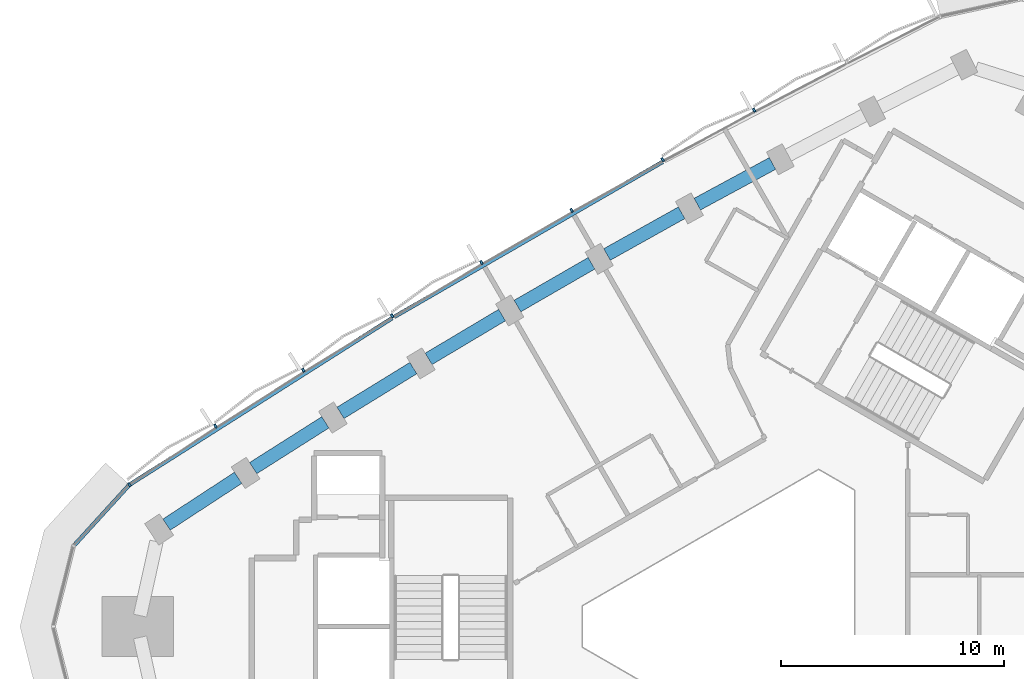
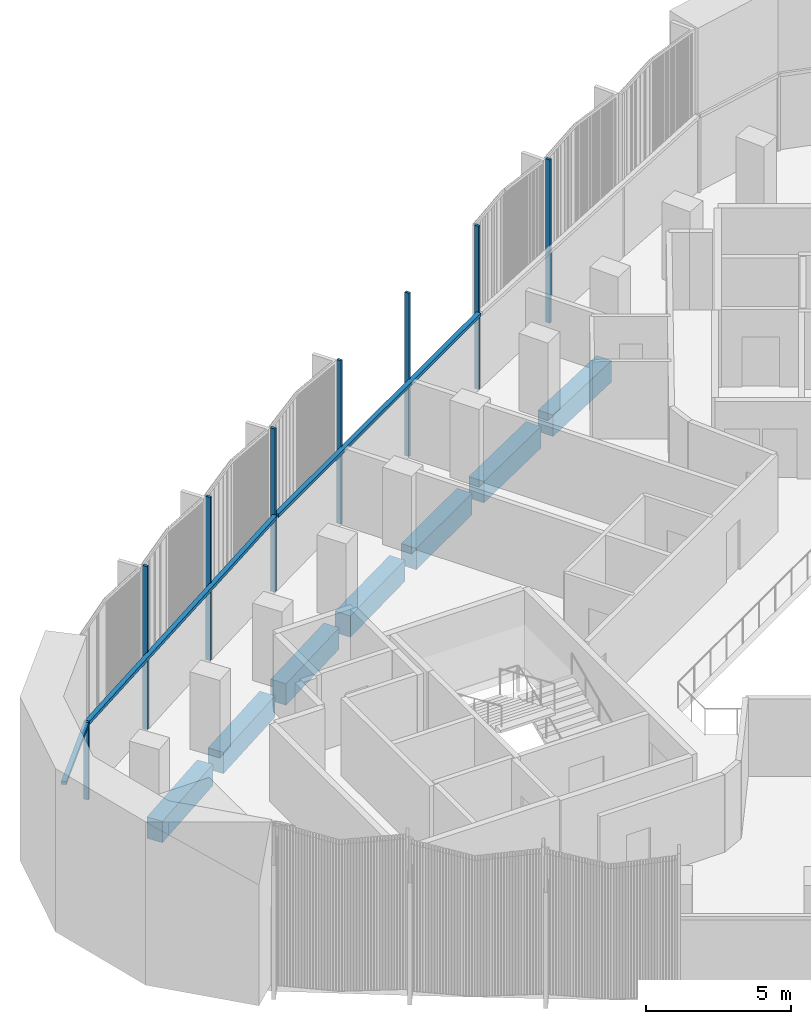
# One storey, part 4 of 13: 11 members, 7 beams, 1 element without a shape of its own.
"""IFC4 building model written with IfcOpenShell, lengths in metres."""

from ifc_helpers import new_model, si_unit, direction, frame, origin, origin_2d, place, context, subcontext, project, spatial, rectangle, extrude, material, material_profile, profile_set, type_object, element, aggregate, save


model = new_model("IFC4")

# Units and contexts
model_context = context("Model", 3, precision=1e-05, world=origin(), true_north=direction((0.0, 1.0)))
body_context = subcontext(model_context, "Body", "Model", "MODEL_VIEW")
ifc_project = project(units=[si_unit("LENGTHUNIT", "METRE"), si_unit("AREAUNIT", "SQUARE_METRE"), si_unit("VOLUMEUNIT", "CUBIC_METRE"), si_unit("PLANEANGLEUNIT", "RADIAN"), si_unit("MASSUNIT", "GRAM", prefix="KILO")], contexts=[model_context])

# Site, building, storey
site_placement = place(None, origin())
site = spatial("IfcSite", under=ifc_project, at=site_placement, CompositionType="ELEMENT")
building_placement = place(site_placement, origin())
building = spatial("IfcBuilding", under=site, at=building_placement, Name="Tamra Quay Hotel Tower", CompositionType="ELEMENT")
storey_placement = place(building_placement, frame((0.0, 0.0, 186.39990234375)))
storey = spatial("IfcBuildingStorey", under=building, at=storey_placement, Name="L46", CompositionType="ELEMENT", Elevation=186.39990234375)

# Curtain wall, members
ifc_material_1 = material(Name="Aluminium 6063 anodised dark grey", Category="aluminium")
curtain_wall_type = type_object("IfcCurtainWallType", Name="CW2 CURTAIN WALL", PredefinedType="NOTDEFINED", material=ifc_material_1)
curtain_wall_placement = place(storey_placement, origin())
curtain_wall = element("IfcCurtainWall", 1, at=curtain_wall_placement, inside=storey, type_object=curtain_wall_type, Name="CW2 north-west face L46", PredefinedType="NOTDEFINED")
ifc_material_profile_1 = material_profile(ifc_material_1, rectangle(XDim=0.179931640625, YDim=0.10009765625, at=origin_2d()), Name="MULLION 100X180")
ifc_profile_set_1 = profile_set([ifc_material_profile_1], Name="Aluminium 6063 anodised dark grey")
member_type_1 = type_object("IfcMemberType", Name="MULLION CW2 Z4", PredefinedType="MULLION", material=ifc_profile_set_1)
member_1_placement = place(storey_placement, frame((0.10400390625, 23.175537109375, 0.0), z_axis=(0.0, 0.0, 1.0), x_axis=(-0.469667944168, 0.882843147009, 0.0)))
member_1 = element("IfcMember", 2, at=member_1_placement, type_object=member_type_1, Name="CW2 mullion L46.NW.3", PredefinedType="MULLION", context=body_context, shape_type="SweptSolid", body=[
    extrude(rectangle(XDim=0.179931640625, YDim=0.10009765625, at=origin_2d()), origin(), (0.0, 0.0, 1.0), 6.85009765625),
])
member_2_placement = place(storey_placement, frame((-4.004638671875, 20.953369140625, 0.0), z_axis=(0.0, 0.0, 1.0), x_axis=(-0.481860510023, 0.876247938017, 0.0)))
member_2 = element("IfcMember", 3, at=member_2_placement, type_object=member_type_1, Name="CW2 mullion L46.NW.4", PredefinedType="MULLION", context=body_context, shape_type="SweptSolid", body=[
    extrude(rectangle(XDim=0.179931640625, YDim=0.10009765625, at=origin_2d()), origin(), (0.0, 0.0, 1.0), 6.85009765625),
])
member_3_placement = place(storey_placement, frame((-8.083251953125, 18.67333984375, 0.0), z_axis=(0.0, 0.0, 1.0), x_axis=(-0.49397478702, 0.869476227271, 0.0)))
member_3 = element("IfcMember", 4, at=member_3_placement, type_object=member_type_1, Name="CW2 mullion L46.NW.5", PredefinedType="MULLION", context=body_context, shape_type="SweptSolid", body=[
    extrude(rectangle(XDim=0.179931640625, YDim=0.10009765625, at=origin_2d()), origin(), (0.0, 0.0, 1.0), 6.85009765625),
])
member_4_placement = place(storey_placement, frame((-12.1298828125, 16.3369140625, 0.0), z_axis=(0.0, 0.0, 1.0), x_axis=(-0.506001107293, 0.862532828023, 0.0)))
member_4 = element("IfcMember", 5, at=member_4_placement, type_object=member_type_1, Name="CW2 mullion L46.NW.6", PredefinedType="MULLION", context=body_context, shape_type="SweptSolid", body=[
    extrude(rectangle(XDim=0.179931640625, YDim=0.10009765625, at=origin_2d()), origin(), (0.0, 0.0, 1.0), 6.85009765625),
])
member_5_placement = place(storey_placement, frame((-16.143798828125, 13.94482421875, 0.0), z_axis=(0.0, 0.0, 1.0), x_axis=(-0.517922719325, 0.85542741177, 0.0)))
member_5 = element("IfcMember", 6, at=member_5_placement, type_object=member_type_1, Name="CW2 mullion L46.NW.7", PredefinedType="MULLION", context=body_context, shape_type="SweptSolid", body=[
    extrude(rectangle(XDim=0.179931640625, YDim=0.10009765625, at=origin_2d()), origin(), (0.0, 0.0, 1.0), 6.85009765625),
])
member_6_placement = place(storey_placement, frame((-20.12255859375, 11.497802734375, 0.0), z_axis=(0.0, 0.0, 1.0), x_axis=(-0.529730620783, 0.848165944497, 0.0)))
member_6 = element("IfcMember", 7, at=member_6_placement, type_object=member_type_1, Name="CW2 mullion L46.NW.8", PredefinedType="MULLION", context=body_context, shape_type="SweptSolid", body=[
    extrude(rectangle(XDim=0.179931640625, YDim=0.10009765625, at=origin_2d()), origin(), (0.0, 0.0, 1.0), 6.85009765625),
])
member_7_placement = place(storey_placement, frame((-24.068603515625, 8.9951171875, 0.0), z_axis=(0.0, 0.0, 1.0), x_axis=(-0.541421307524, 0.840751430423, 0.0)))
member_7 = element("IfcMember", 8, at=member_7_placement, type_object=member_type_1, Name="CW2 mullion L46.NW.9", PredefinedType="MULLION", context=body_context, shape_type="SweptSolid", body=[
    extrude(rectangle(XDim=0.179931640625, YDim=0.10009765625, at=origin_2d()), origin(), (0.0, 0.0, 1.0), 6.85009765625),
])
member_8_placement = place(storey_placement, frame((-27.928955078125, 6.36376953125, 0.0), z_axis=(0.0, 0.0, 1.0), x_axis=(-0.648381091282, 0.76131593998, 0.0)))
member_8 = element("IfcMember", 9, at=member_8_placement, type_object=member_type_1, Name="CW2 mullion L46.NW.10", PredefinedType="MULLION", context=body_context, shape_type="SweptSolid", body=[
    extrude(rectangle(XDim=0.179931640625, YDim=0.10009765625, at=origin_2d()), origin(), (0.0, 0.0, 1.0), 3.25),
])

# Beams
ifc_material_2 = material(Name="Concrete M60", Category="concrete")
ifc_material_profile_2 = material_profile(ifc_material_2, rectangle(XDim=0.60009765625, YDim=0.89990234375, at=origin_2d()), Name="SPANDREL BEAM RC 600x900")
ifc_profile_set_2 = profile_set([ifc_material_profile_2], Name="Concrete M60")
beam_type = type_object("IfcBeamType", Name="SPANDREL BEAM RC 600x900", PredefinedType="SPANDREL", material=ifc_profile_set_2)
beam_1_placement = place(storey_placement, frame((0.927490234375, 20.77783203125, -0.7998046875), z_axis=(-0.879589264525, -0.475733881211, 0.0), x_axis=(0.475733881211, -0.879589264525, 0.0)))
element("IfcBeam", 10, at=beam_1_placement, inside=storey, type_object=beam_type, Name="BM-SP4-013-L46", PredefinedType="SPANDREL", context=body_context, shape_type="SweptSolid", body=[
    extrude(rectangle(XDim=0.60009765625, YDim=0.89990234375, at=origin_2d()), origin(), (0.0, 0.0, 1.0), 3.838134765625),
])
for number, where, z_axis, x_axis, name in (
    (11, (-3.1494140625, 18.56640625, -0.7998046875), (-0.872890885292, -0.487915466422, 0.0), (0.487915466422, -0.872890885292, 0.0), "BM-SP4-014-L46"),
    (12, (-7.194580078125, 16.298828125, -0.7998046875), (-0.866022424722, -0.500005159851, 0.0), (0.500005159851, -0.866022424722, 0.0), "BM-SP4-015-L46"),
):
    element("IfcBeam", number, at=place(storey_placement, frame(where, z_axis=z_axis, x_axis=x_axis)), inside=storey, type_object=beam_type, Name=name, PredefinedType="SPANDREL", context=body_context, shape_type="SweptSolid", body=[
        extrude(rectangle(XDim=0.60009765625, YDim=0.89990234375, at=origin_2d()), origin(), (0.0, 0.0, 1.0), 3.83740234375),
    ])
beam_2_placement = place(storey_placement, frame((-11.2080078125, 13.975341796875, -0.7998046875), z_axis=(-0.858982487636, -0.512004966708, 0.0), x_axis=(0.512004966708, -0.858982487636, 0.0)))
element("IfcBeam", 13, at=beam_2_placement, inside=storey, type_object=beam_type, Name="BM-SP4-016-L46", PredefinedType="SPANDREL", context=body_context, shape_type="SweptSolid", body=[
    extrude(rectangle(XDim=0.60009765625, YDim=0.89990234375, at=origin_2d()), origin(), (0.0, 0.0, 1.0), 3.837646484375),
])
beam_3_placement = place(storey_placement, frame((-15.188720703125, 11.59619140625, -0.7998046875), z_axis=(-0.851817714835, -0.523838315411, 0.0), x_axis=(0.523838315411, -0.851817714835, 0.0)))
element("IfcBeam", 14, at=beam_3_placement, inside=storey, type_object=beam_type, Name="BM-SP4-017-L46", PredefinedType="SPANDREL", context=body_context, shape_type="SweptSolid", body=[
    extrude(rectangle(XDim=0.60009765625, YDim=0.89990234375, at=origin_2d()), origin(), (0.0, 0.0, 1.0), 3.837890625),
])
for number, where, z_axis, x_axis, name in (
    (15, (-19.136474609375, 9.162109375, -0.7998046875), (-0.844469978785, -0.535602889211, 0.0), (0.535602889211, -0.844469978785, 0.0), "BM-SP4-018-L46"),
    (16, (-23.0498046875, 6.673583984375, -0.7998046875), (-0.836969613974, -0.547249362983, 0.0), (0.547249362983, -0.836969613974, 0.0), "BM-SP4-019-L46"),
):
    element("IfcBeam", number, at=place(storey_placement, frame(where, z_axis=z_axis, x_axis=x_axis)), inside=storey, type_object=beam_type, Name=name, PredefinedType="SPANDREL", context=body_context, shape_type="SweptSolid", body=[
        extrude(rectangle(XDim=0.60009765625, YDim=0.89990234375, at=origin_2d()), origin(), (0.0, 0.0, 1.0), 3.837646484375),
    ])

# Member
ifc_material_profile_3 = material_profile(ifc_material_1, rectangle(XDim=0.179931640625, YDim=0.139892578125, at=origin_2d()), Name="TRANSOM 180X140")
ifc_profile_set_3 = profile_set([ifc_material_profile_3], Name="Aluminium 6063 anodised dark grey")
member_type_2 = type_object("IfcMemberType", Name="TRANSOM CW2 Z4", PredefinedType="USERDEFINED", material=ifc_profile_set_3)
member_9_placement = place(storey_placement, frame((-4.0048828125, 20.85009765625, 3.18017578125), z_axis=(-0.866021948021, -0.50000598551, 0.0), x_axis=(0.50000598551, -0.866021948021, 0.0)))
member_9 = element("IfcMember", 17, at=member_9_placement, type_object=member_type_2, Name="CW2 transom L46.NW.4", ObjectType="TRANSOM", PredefinedType="USERDEFINED", context=body_context, shape_type="SweptSolid", body=[
    extrude(rectangle(XDim=0.179931640625, YDim=0.139892578125, at=origin_2d()), origin(), (0.0, 0.0, 1.0), 13.913330078125),
])

member_10_placement = place(storey_placement, frame((-16.1396484375, 13.841552734375, 3.18017578125), z_axis=(-0.844483603588, -0.535581406764, 0.0), x_axis=(0.535581406764, -0.844483603588, 0.0)))
member_10 = element("IfcMember", 18, at=member_10_placement, type_object=member_type_2, Name="CW2 transom L46.NW.7", ObjectType="TRANSOM", PredefinedType="USERDEFINED", context=body_context, shape_type="SweptSolid", body=[
    extrude(rectangle(XDim=0.179931640625, YDim=0.139892578125, at=origin_2d()), origin(), (0.0, 0.0, 1.0), 13.910888671875),
])

member_11_placement = place(storey_placement, frame((-27.962646484375, 6.32666015625, 3.18017578125), z_axis=(-0.673497359226, -0.739189628658, 0.0), x_axis=(0.739189628658, -0.673497359226, 0.0)))
member_11 = element("IfcMember", 19, at=member_11_placement, type_object=member_type_2, Name="CW2 transom L46.NW.10", ObjectType="TRANSOM", PredefinedType="USERDEFINED", context=body_context, shape_type="SweptSolid", body=[
    extrude(rectangle(XDim=0.179931640625, YDim=0.139892578125, at=origin_2d()), origin(), (0.0, 0.0, 1.0), 3.62353515625),
])

aggregate(curtain_wall, [member_1, member_2, member_9, member_3, member_4, member_5, member_10, member_6, member_7, member_8, member_11])

save(model, "model.ifc")
